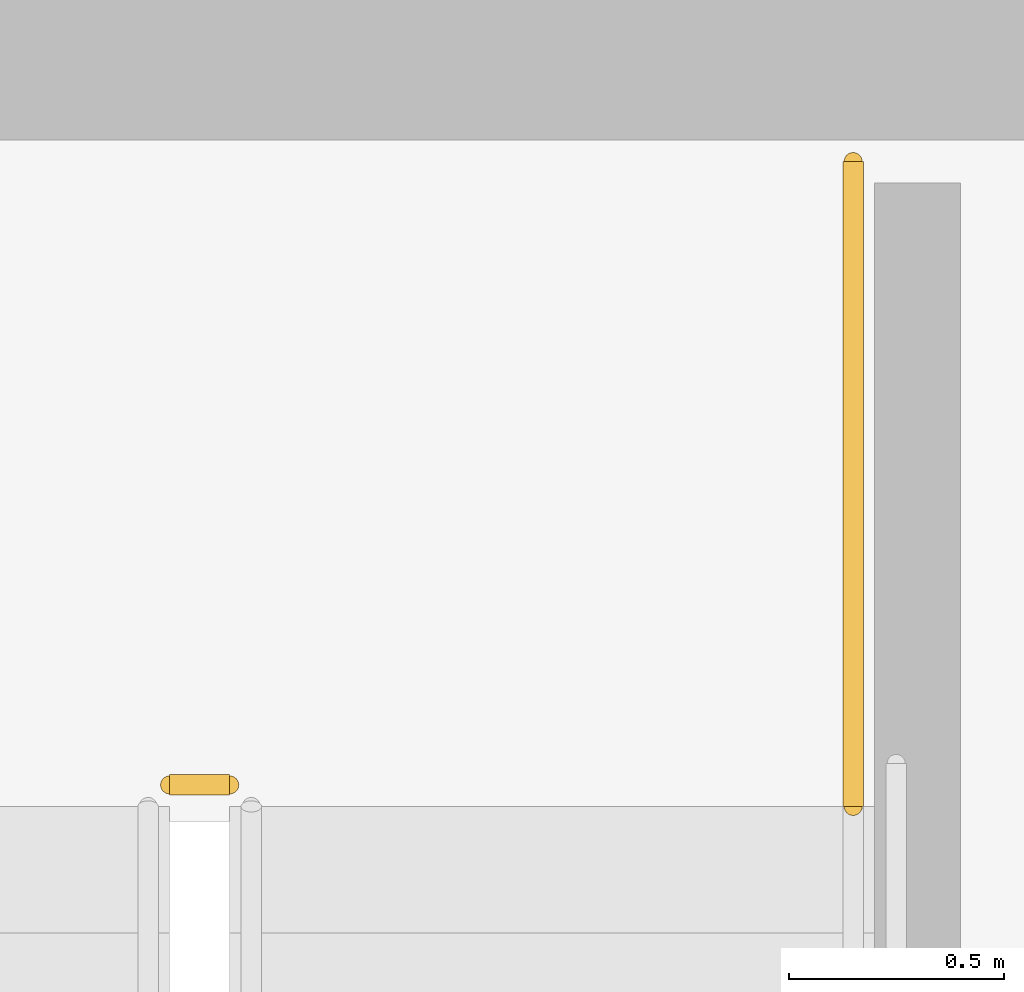
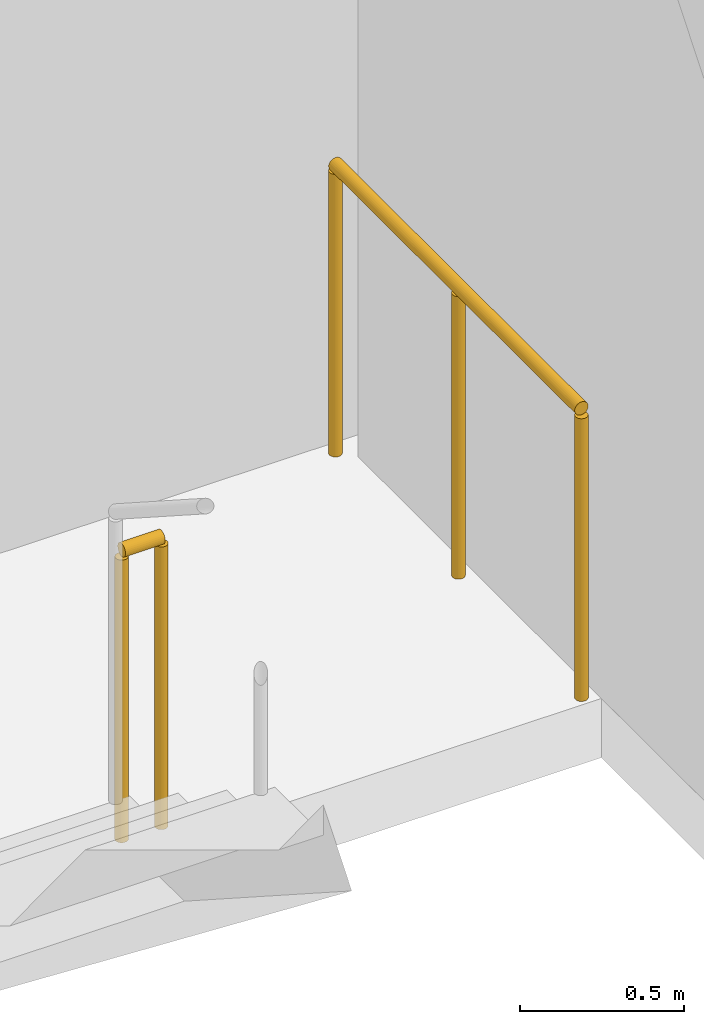
# One storey, part 29 of 29: 2 railings.
"""IFC4 building model written with IfcOpenShell, lengths in metres."""

import ifcopenshell
import ifcopenshell.guid

model = None  # the IFC model being written
_history = None  # IfcOwnerHistory: only IFC2X3 demands one
_inside = {}  # id of a spatial element -> (the spatial element, [elements in it])
_under = {}  # id of a project, library or spatial element -> (it, [spatial elements below it])
_declared = {}  # id of a project -> (the project, [libraries it declares])
_typed = {}  # id of a type object -> (the type object, [elements of that type])
_made_of = {}  # id of a material, layer set ... -> (it, [elements and type objects made of it])


def new_model(schema):
    """Start an empty IFC model of exactly this schema.

    Asked for "IFC4X3", IfcOpenShell would pick the latest addendum, in which some entities
    have other attributes; the version numbers below select the first issue.
    IFC2X3 requires an IfcOwnerHistory on every rooted entity: one is made here for all.
    """
    global model, _history
    if schema == "IFC4X3":
        model = ifcopenshell.file(schema_version=(4, 3, 0, 0))
    else:
        model = ifcopenshell.file(schema=schema)
    _inside.clear()
    _under.clear()
    _declared.clear()
    _typed.clear()
    _made_of.clear()
    _history = None
    if model.schema == "IFC2X3":
        org = make("IfcOrganization", Name="unknown")
        user = make(
            "IfcPersonAndOrganization",
            ThePerson=make("IfcPerson", FamilyName="unknown"),
            TheOrganization=org,
        )
        app = make(
            "IfcApplication",
            ApplicationDeveloper=org,
            Version="unknown",
            ApplicationFullName="unknown",
            ApplicationIdentifier="unknown",
        )
        _history = make(
            "IfcOwnerHistory",
            OwningUser=user,
            OwningApplication=app,
            ChangeAction="ADDED",
            CreationDate=0,
        )
    return model


def make(cls, **values):
    """One entity of the class cls with the attributes given. An attribute that is None is left unset."""
    return model.create_entity(
        cls, **{name: value for name, value in values.items() if value is not None}
    )


def rooted(cls, **values):
    """An entity with a GlobalId (a new one), such as an element, a storey or a relation."""
    return make(cls, GlobalId=ifcopenshell.guid.new(), OwnerHistory=_history, **values)


def si_unit(unit_type, name, prefix=None):
    """IfcSIUnit, for example si_unit("LENGTHUNIT", "METRE", prefix="MILLI")."""
    return make("IfcSIUnit", UnitType=unit_type, Prefix=prefix, Name=name)


def assignment(units):
    """IfcUnitAssignment: the units of a project."""
    return None if units is None else make("IfcUnitAssignment", Units=units)


def point(xyz):
    """IfcCartesianPoint."""
    return None if xyz is None else make("IfcCartesianPoint", Coordinates=xyz)


def direction(xyz):
    """IfcDirection."""
    return None if xyz is None else make("IfcDirection", DirectionRatios=xyz)


def frame(location, z_axis=None, x_axis=None):
    """IfcAxis2Placement3D, a coordinate frame: its origin and axes. An axis left out is left unset."""
    return make(
        "IfcAxis2Placement3D",
        Location=point(location),
        Axis=direction(z_axis),
        RefDirection=direction(x_axis),
    )


def frame_2d(location, x_axis=None):
    """IfcAxis2Placement2D, a coordinate frame in the plane: its origin and x axis."""
    return make(
        "IfcAxis2Placement2D", Location=point(location), RefDirection=direction(x_axis)
    )


def origin():
    """The frame at (0, 0, 0) with its axes left unset."""
    return frame((0.0, 0.0, 0.0))


def origin_2d():
    """The frame at (0, 0) in the plane with its x axis left unset."""
    return frame_2d((0.0, 0.0))


def place(relative_to, where):
    """IfcLocalPlacement: puts the frame where relative to a parent placement (None: the world)."""
    return make(
        "IfcLocalPlacement", PlacementRelTo=relative_to, RelativePlacement=where
    )


def context(
    kind, dimensions, precision=None, world=None, true_north=None, identifier=None
):
    """IfcGeometricRepresentationContext, for example the 3D "Model" context."""
    return make(
        "IfcGeometricRepresentationContext",
        ContextIdentifier=identifier,
        ContextType=kind,
        CoordinateSpaceDimension=dimensions,
        Precision=precision,
        WorldCoordinateSystem=world,
        TrueNorth=true_north,
    )


def subcontext(parent, identifier, kind, view, scale=None):
    """IfcGeometricRepresentationSubContext, for example "Body" below "Model"."""
    return make(
        "IfcGeometricRepresentationSubContext",
        ContextIdentifier=identifier,
        ContextType=kind,
        ParentContext=parent,
        TargetScale=scale,
        TargetView=view,
    )


def project(units=None, contexts=None):
    """IfcProject with its units and contexts."""
    return rooted(
        "IfcProject",
        Name="project",
        RepresentationContexts=contexts,
        UnitsInContext=assignment(units),
    )


def spatial(cls, under=None, at=None, **own):
    """A site, building, storey or space (cls), placed at a placement, below another one or the project."""
    s = rooted(cls, ObjectPlacement=at, **own)
    if under is not None:
        _under.setdefault(under.id(), (under, []))[1].append(s)
    return s


def profile(cls, at=None, kind="AREA", **sizes):
    """A parametric profile (cls). Its sizes go by their IFC names, for example OverallWidth=200.0."""
    return make(cls, ProfileType=kind, Position=at, **sizes)


def circle(**sizes):
    """IfcCircleProfileDef."""
    return profile("IfcCircleProfileDef", **sizes)


def extrude(swept, where, along, depth):
    """IfcExtrudedAreaSolid: the profile swept, set in the frame where, extruded along a direction by depth."""
    return make(
        "IfcExtrudedAreaSolid",
        SweptArea=swept,
        Position=where,
        ExtrudedDirection=direction(along),
        Depth=depth,
    )


def shape(context_of_items, identifier, shape_type, items):
    """IfcShapeRepresentation: the items that make up one representation, for example the "Body"."""
    return make(
        "IfcShapeRepresentation",
        ContextOfItems=context_of_items,
        RepresentationIdentifier=identifier,
        RepresentationType=shape_type,
        Items=items,
    )


def material(Name=None, Category=None):
    """IfcMaterial."""
    return make("IfcMaterial", Name=Name, Category=Category)


def layer(
    of_material, thickness, ventilated=None, Name=None, Category=None, Priority=None
):
    """IfcMaterialLayer: one layer of a wall or slab, of a material (None: an air gap)."""
    return make(
        "IfcMaterialLayer",
        Material=of_material,
        LayerThickness=thickness,
        IsVentilated=ventilated,
        Name=Name,
        Category=Category,
        Priority=Priority,
    )


def layer_set(layers, Name=None):
    """IfcMaterialLayerSet."""
    return make("IfcMaterialLayerSet", MaterialLayers=layers, LayerSetName=Name)


def made_of(thing, what):
    """Note that an element or type object is made of a material, layer set ...; save() writes the relation."""
    if what is not None:
        _made_of.setdefault(what.id(), (what, []))[1].append(thing)
    return thing


def type_object(cls, material=None, **own):
    """A type object (cls), such as IfcWallType, which elements share."""
    return made_of(rooted(cls, **own), material)


def element(
    cls,
    number,
    at=None,
    inside=None,
    cuts=None,
    type_object=None,
    material=None,
    context=None,
    identifier="Body",
    shape_type=None,
    held_by="IfcProductDefinitionShape",
    body=None,
    shapes=None,
    **own,
):
    """One element of the class cls, such as IfcWall. Its Tag is "e" and its number.

    at: its placement. inside: the storey or other place that contains it. cuts: it is an
    opening in that element (IfcRelVoidsElement). A single representation is given by context,
    identifier, shape_type and body (its items); several are given by shapes. held_by: the class
    of the entity that holds the representations. save() writes the other relations.
    """
    e = rooted(cls, Tag="e%d" % number, ObjectPlacement=at, **own)
    if body is not None:
        shapes = [shape(context, identifier, shape_type, body)]
    if shapes is not None:
        e.Representation = make(held_by, Representations=shapes)
    if inside is not None:
        _inside.setdefault(inside.id(), (inside, []))[1].append(e)
    if cuts is not None:
        rooted(
            "IfcRelVoidsElement", RelatingBuildingElement=cuts, RelatedOpeningElement=e
        )
    if type_object is not None:
        _typed.setdefault(type_object.id(), (type_object, []))[1].append(e)
    return made_of(e, material)


def aggregate(whole, parts):
    """IfcRelAggregates: a whole, such as a stair, and the parts it consists of."""
    return rooted("IfcRelAggregates", RelatingObject=whole, RelatedObjects=parts)


def save(model, path):
    """Write the relations noted so far, then the file.

    IfcRelAggregates (storeys below a building ...), IfcRelContainedInSpatialStructure (elements
    in a storey), IfcRelDefinesByType, IfcRelAssociatesMaterial and IfcRelDeclares: one each for
    every whole, place, type object, material and project.
    """
    for whole, parts in _under.values():
        aggregate(whole, parts)
    for where, things in _inside.values():
        rooted(
            "IfcRelContainedInSpatialStructure",
            RelatedElements=things,
            RelatingStructure=where,
        )
    for kind, things in _typed.values():
        rooted("IfcRelDefinesByType", RelatedObjects=things, RelatingType=kind)
    for what, things in _made_of.values():
        rooted("IfcRelAssociatesMaterial", RelatedObjects=things, RelatingMaterial=what)
    for by, libraries in _declared.values():
        rooted("IfcRelDeclares", RelatingContext=by, RelatedDefinitions=libraries)
    model.write(path)


model = new_model("IFC4")

# Units and contexts
model_context = context("Model", 3, precision=1e-05, world=origin(), true_north=direction((0.0, 1.0)))
body_context = subcontext(model_context, "Body", "Model", "MODEL_VIEW")
ifc_project = project(units=[si_unit("LENGTHUNIT", "METRE"), si_unit("AREAUNIT", "SQUARE_METRE"), si_unit("VOLUMEUNIT", "CUBIC_METRE"), si_unit("PLANEANGLEUNIT", "RADIAN"), si_unit("MASSUNIT", "GRAM", prefix="KILO")], contexts=[model_context])

# Site, building, storey
site_placement = place(None, origin())
site = spatial("IfcSite", under=ifc_project, at=site_placement, CompositionType="ELEMENT")
building_placement = place(site_placement, origin())
building = spatial("IfcBuilding", under=site, at=building_placement, Name="Ndaravel Arena Tower", CompositionType="ELEMENT")
storey_placement = place(building_placement, frame((0.0, 0.0, 233.199951171875)))
storey = spatial("IfcBuildingStorey", under=building, at=storey_placement, Name="L56", CompositionType="ELEMENT", Elevation=233.199951171875)

# Railings
ifc_material = material(Name="Steel S355", Category="steel")
ifc_layer = layer(ifc_material, 0.06005859375)
ifc_layer_set = layer_set([ifc_layer], Name="Steel S355")
railing_type = type_object("IfcRailingType", Name="RAIL-STAIR-GD1100", PredefinedType="GUARDRAIL", material=ifc_layer_set)
railing_1_placement = place(storey_placement, frame((55.10009765625, 13.300048828125, 0.0)))
element("IfcRailing", 1, at=railing_1_placement, inside=storey, type_object=railing_type, Name="L56 ST-3 stair guard 4", PredefinedType="GUARDRAIL", context=body_context, shape_type="SweptSolid", body=[
    extrude(circle(Radius=0.02392578125, at=origin_2d()), frame((0.0, 0.0, 1.076171875), z_axis=(1.0, 0.0, 0.0), x_axis=(0.0, 1.0, 0.0)), (0.0, 0.0, 1.0), 0.139892578125),
    extrude(circle(Radius=0.02099609375, at=origin_2d()), origin(), (0.0, 0.0, 1.0), 1.052001953125),
    extrude(circle(Radius=0.02099609375, at=origin_2d()), frame((0.139892578125, 0.0, 0.0)), (0.0, 0.0, 1.0), 1.052001953125),
])
railing_2_placement = place(storey_placement, frame((56.68994140625, 14.75, 0.0)))
element("IfcRailing", 2, at=railing_2_placement, inside=storey, type_object=railing_type, Name="L56 ST-3 stair guard 5", PredefinedType="GUARDRAIL", context=body_context, shape_type="SweptSolid", body=[
    extrude(circle(Radius=0.02392578125, at=origin_2d()), frame((0.0, 0.0, 1.076171875), z_axis=(0.0, -1.0, 0.0), x_axis=(1.0, 0.0, 0.0)), (0.0, 0.0, 1.0), 1.5),
    extrude(circle(Radius=0.02099609375, at=origin_2d()), origin(), (0.0, 0.0, 1.0), 1.052001953125),
    extrude(circle(Radius=0.02099609375, at=origin_2d()), frame((0.0, -0.75, 0.0)), (0.0, 0.0, 1.0), 1.052001953125),
    extrude(circle(Radius=0.02099609375, at=origin_2d()), frame((0.0, -1.5, 0.0)), (0.0, 0.0, 1.0), 1.052001953125),
])

save(model, "model.ifc")
